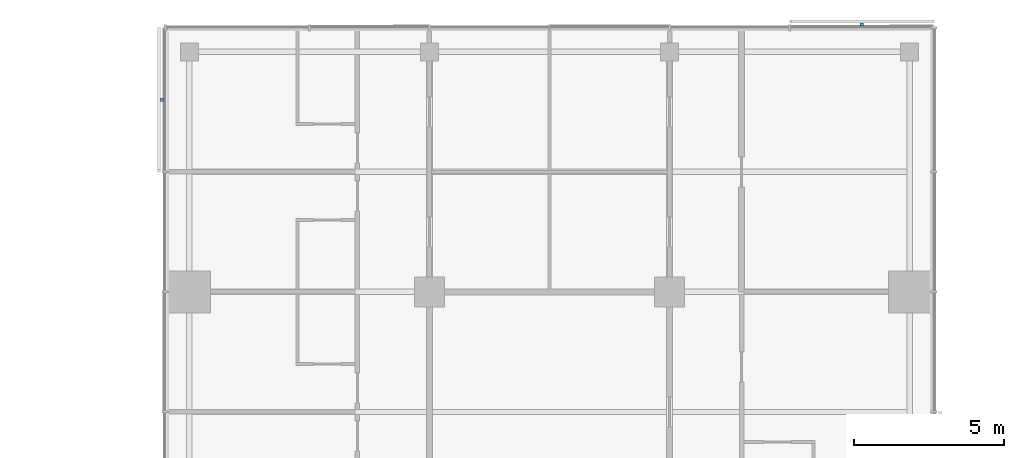
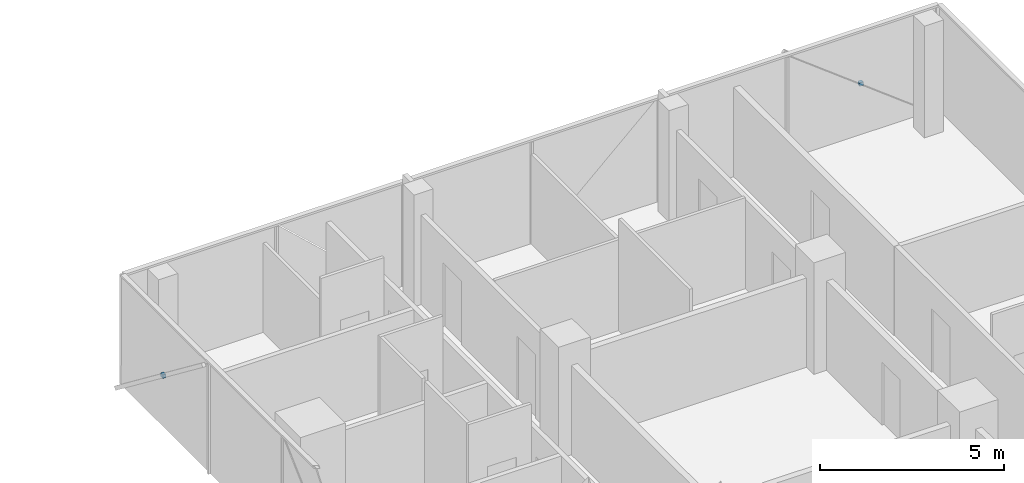
# One storey, part 26 of 27: 2 discrete accessories.
"""IFC4 building model written with IfcOpenShell, lengths in metres."""

from ifc_helpers import new_model, si_unit, direction, frame, origin, origin_2d, place, context, subcontext, project, spatial, rectangle, extrude, material, type_object, element, save


model = new_model("IFC4")

# Units and contexts
model_context = context("Model", 3, precision=1e-05, world=origin(), true_north=direction((0.0, 1.0)))
body_context = subcontext(model_context, "Body", "Model", "MODEL_VIEW")
ifc_project = project(units=[si_unit("LENGTHUNIT", "METRE"), si_unit("AREAUNIT", "SQUARE_METRE"), si_unit("VOLUMEUNIT", "CUBIC_METRE"), si_unit("PLANEANGLEUNIT", "RADIAN"), si_unit("MASSUNIT", "GRAM", prefix="KILO")], contexts=[model_context])

# Site, building, storey
site_placement = place(None, origin())
site = spatial("IfcSite", under=ifc_project, at=site_placement, CompositionType="ELEMENT")
building_placement = place(site_placement, origin())
building = spatial("IfcBuilding", under=site, at=building_placement, Name="Crosswind Convention Tower", CompositionType="ELEMENT")
storey_placement = place(building_placement, frame((0.0, 0.0, 86.800048828125)))
storey = spatial("IfcBuildingStorey", under=building, at=storey_placement, Name="L16", CompositionType="ELEMENT", Elevation=86.800048828125)

# Discrete accessories
ifc_material = material(Name="Stainless steel", Category="steel")
discrete_accessory_type = type_object("IfcDiscreteAccessoryType", Name="BAGUETTE BRACKET BK2", PredefinedType="BRACKET", material=ifc_material)
for number, where, z_axis, x_axis, name in (
    (1, (135.39990234375, 136.907958984375, 1.477294921875), (0.0, 0.0, 1.0), (-1.0, 0.0, 0.0), "BK2 baguette bracket"),
    (2, (112.092041015625, 134.39990234375, 1.477294921875), (0.0, 0.0, 1.0), (0.0, -1.0, 0.0), "BK2 baguette bracket"),
):
    element("IfcDiscreteAccessory", number, at=place(storey_placement, frame(where, z_axis=z_axis, x_axis=x_axis)), inside=storey, type_object=discrete_accessory_type, Name=name, PredefinedType="BRACKET", context=body_context, shape_type="SweptSolid", body=[
        extrude(rectangle(XDim=0.1201171875, YDim=0.10009765625, at=origin_2d()), origin(), (0.0, 0.0, 1.0), 0.1201171875),
    ])

save(model, "model.ifc")
